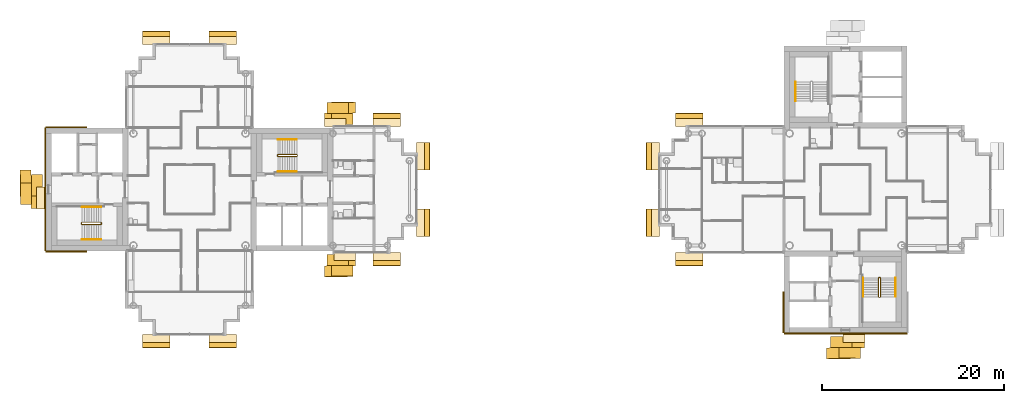
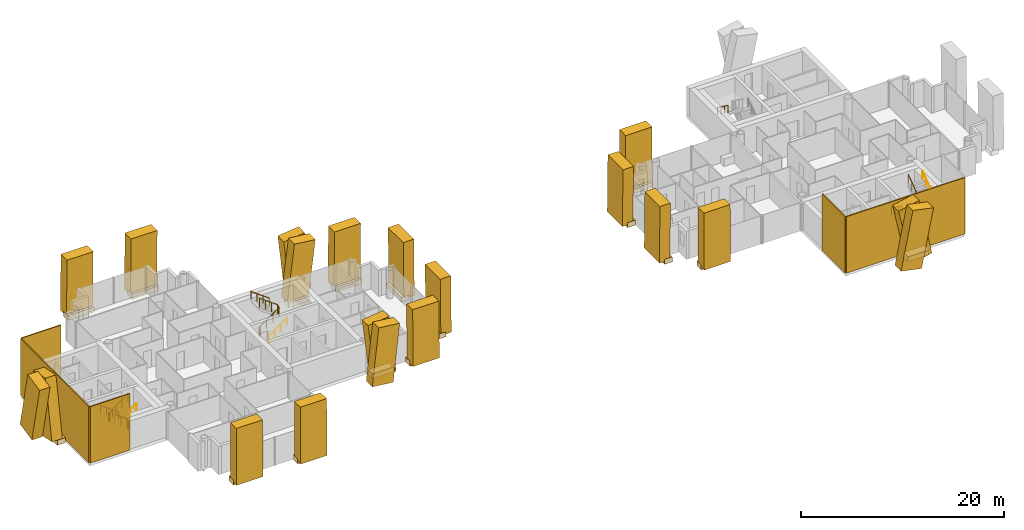
# One storey, part 16 of 18: 41 coverings, 10 railings.
"""IFC4 building model written with IfcOpenShell, lengths in metres."""

from ifc_helpers import new_model, si_unit, direction, frame, origin, origin_2d, place, context, subcontext, project, spatial, rectangle, circle, extrude, material, layer, layer_set, material_profile, profile_set, type_object, element, save


model = new_model("IFC4")

# Units and contexts
model_context = context("Model", 3, precision=1e-05, world=origin(), true_north=direction((0.0, 1.0)))
body_context = subcontext(model_context, "Body", "Model", "MODEL_VIEW")
ifc_project = project(units=[si_unit("LENGTHUNIT", "METRE"), si_unit("AREAUNIT", "SQUARE_METRE"), si_unit("VOLUMEUNIT", "CUBIC_METRE"), si_unit("PLANEANGLEUNIT", "RADIAN"), si_unit("MASSUNIT", "GRAM", prefix="KILO")], contexts=[model_context])

# Site, building, storey
site_placement = place(None, origin())
site = spatial("IfcSite", under=ifc_project, at=site_placement, CompositionType="ELEMENT")
building_placement = place(site_placement, origin())
building = spatial("IfcBuilding", under=site, at=building_placement, Name="Ipe Terrace Towers", CompositionType="ELEMENT")
storey_placement = place(building_placement, frame((0.0, 0.0, 202.800048828125)))
storey = spatial("IfcBuildingStorey", under=building, at=storey_placement, Name="L56", CompositionType="ELEMENT", Elevation=202.800048828125)

# Coverings
ifc_material_1 = material(Name="Concrete C50/60 precast, buff finish", Category="concrete")
ifc_layer = layer(ifc_material_1, 0.1201171875)
ifc_layer_set = layer_set([ifc_layer], Name="STONE CORE CLADDING 120")
covering_type_1 = type_object("IfcCoveringType", Name="STONE CORE CLADDING 120", PredefinedType="CLADDING", material=ifc_layer_set)
covering_1_placement = place(storey_placement, frame((-49.5, -6.81005859375, 0.0), z_axis=(0.0, 0.0, 1.0), x_axis=(1.0, 0.0, 0.0)))
element("IfcCovering", 1, at=covering_1_placement, inside=storey, type_object=covering_type_1, Name="stone core cladding", PredefinedType="CLADDING", context=body_context, shape_type="SweptSolid", body=[
    extrude(rectangle(XDim=4.5, YDim=0.1201171875, at=origin_2d()), origin(), (0.0, 0.0, 1.0), 6.800048828125),
])
covering_2_placement = place(storey_placement, frame((-51.81005859375, 0.0, 0.0), z_axis=(0.0, 0.0, 1.0), x_axis=(0.0, -1.0, 0.0)))
element("IfcCovering", 2, at=covering_2_placement, inside=storey, type_object=covering_type_1, Name="stone core cladding", PredefinedType="CLADDING", context=body_context, shape_type="SweptSolid", body=[
    extrude(rectangle(XDim=13.5, YDim=0.1201171875, at=origin_2d()), origin(), (0.0, 0.0, 1.0), 6.800048828125),
])
covering_3_placement = place(storey_placement, frame((-49.5, 6.81005859375, 0.0), z_axis=(0.0, 0.0, 1.0), x_axis=(-1.0, 0.0, 0.0)))
element("IfcCovering", 3, at=covering_3_placement, inside=storey, type_object=covering_type_1, Name="stone core cladding", PredefinedType="CLADDING", context=body_context, shape_type="SweptSolid", body=[
    extrude(rectangle(XDim=4.5, YDim=0.1201171875, at=origin_2d()), origin(), (0.0, 0.0, 1.0), 6.800048828125),
])
covering_4_placement = place(storey_placement, frame((36.0, -15.81005859375, 0.0), z_axis=(0.0, 0.0, 1.0), x_axis=(1.0, 0.0, 0.0)))
element("IfcCovering", 4, at=covering_4_placement, inside=storey, type_object=covering_type_1, Name="stone core cladding", PredefinedType="CLADDING", context=body_context, shape_type="SweptSolid", body=[
    extrude(rectangle(XDim=13.5, YDim=0.1201171875, at=origin_2d()), origin(), (0.0, 0.0, 1.0), 6.800048828125),
])
covering_5_placement = place(storey_placement, frame((29.18994140625, -13.5, 0.0), z_axis=(0.0, 0.0, 1.0), x_axis=(0.0, -1.0, 0.0)))
element("IfcCovering", 5, at=covering_5_placement, inside=storey, type_object=covering_type_1, Name="stone core cladding", PredefinedType="CLADDING", context=body_context, shape_type="SweptSolid", body=[
    extrude(rectangle(XDim=4.5, YDim=0.1201171875, at=origin_2d()), origin(), (0.0, 0.0, 1.0), 6.800048828125),
])
ifc_material_2 = material(Name="Concrete C50/60 precast, buff finish", Category="concrete")
ifc_material_profile_1 = material_profile(ifc_material_2, rectangle(XDim=2.39990234375, YDim=1.199951171875, at=origin_2d()), Name="STONE FIN 2400 x 1200")
ifc_profile_set_1 = profile_set([ifc_material_profile_1], Name="Concrete C50/60 precast, buff finish")
covering_type_2 = type_object("IfcCoveringType", Name="STONE FIN 2400 x 1200", PredefinedType="USERDEFINED", material=ifc_profile_set_1)
for number, where, z_axis, x_axis, name in (
    (6, (-19.992919921875, -8.993896484375, 0.0), (0.11349843187, 0.010201304687, 0.993485802287), (0.993538175393, -0.001165362446, -0.113492448944), "stone fin"),
    (7, (-19.992919921875, 7.7939453125, 0.0), (0.11349843187, -0.010201304687, 0.993485802287), (-0.993538175393, -0.001165362446, 0.113492448944), "stone fin"),
    (8, (-18.95703125, -7.7939453125, 0.0), (-0.11349843187, 0.010201304687, 0.993485802287), (0.993538175393, 0.001165362446, 0.113492448944), "stone fin"),
    (9, (-18.95703125, 8.993896484375, 0.0), (-0.11349843187, -0.010201304687, 0.993485802287), (-0.993538175393, 0.001165362446, -0.113492448944), "stone fin"),
):
    element("IfcCovering", number, at=place(storey_placement, frame(where, z_axis=z_axis, x_axis=x_axis)), inside=storey, type_object=covering_type_2, Name=name, ObjectType="FIN", PredefinedType="USERDEFINED", context=body_context, shape_type="SweptSolid", body=[
        extrude(rectangle(XDim=2.39990234375, YDim=1.199951171875, at=origin_2d()), origin(), (0.0, 0.0, 1.0), 6.8447265625),
    ])
for number, where, z_axis, x_axis, name in (
    (10, (-53.993896484375, 0.93603515625, 0.0), (0.010055563818, -0.202201215103, 0.979292374241), (-0.002076131794, -0.979343999119, -0.202190556322), "stone fin"),
    (11, (-52.7939453125, -0.93603515625, 0.0), (0.010055563818, 0.202201215103, 0.979292374241), (0.002076131794, -0.979343999119, 0.202190556322), "stone fin"),
    (12, (36.93603515625, -16.7939453125, 0.0), (-0.202201215103, 0.010055563818, 0.979292374241), (0.979343999119, 0.002076131794, 0.202190556322), "stone fin"),
    (13, (35.06396484375, -17.993896484375, 0.0), (0.202201215103, 0.010055563818, 0.979292374241), (0.979343999119, -0.002076131794, -0.202190556322), "stone fin"),
):
    element("IfcCovering", number, at=place(storey_placement, frame(where, z_axis=z_axis, x_axis=x_axis)), inside=storey, type_object=covering_type_2, Name=name, ObjectType="FIN", PredefinedType="USERDEFINED", context=body_context, shape_type="SweptSolid", body=[
        extrude(rectangle(XDim=2.39990234375, YDim=1.199951171875, at=origin_2d()), origin(), (0.0, 0.0, 1.0), 6.94384765625),
    ])
ifc_material_3 = material(Name="Concrete C50/60 precast, buff finish", Category="concrete")
ifc_material_profile_2 = material_profile(ifc_material_3, rectangle(XDim=3.0, YDim=1.199951171875, at=origin_2d()), Name="STONE FIN CORNER 3000 x 1200")
ifc_profile_set_2 = profile_set([ifc_material_profile_2], Name="Concrete C50/60 precast, buff finish")
covering_type_3 = type_object("IfcCoveringType", Name="STONE FIN CORNER 3000 x 1200", PredefinedType="USERDEFINED", material=ifc_profile_set_2)
for number, where, z_axis, x_axis, name in (
    (14, (-10.2060546875, -3.64990234375, 0.0), (-0.010267652457, 0.0, 0.999947286267), (0.0, 1.0, 0.0), "stone fin"),
    (15, (-10.2060546875, 3.64990234375, 0.0), (-0.010267652457, 0.0, 0.999947286267), (0.0, 1.0, 0.0), "stone fin"),
    (16, (-14.35009765625, -7.7939453125, 0.0), (0.0, 0.010267652457, 0.999947286267), (1.0, 0.0, 0.0), "stone fin"),
    (17, (-14.35009765625, 7.7939453125, 0.0), (0.0, -0.010267652457, 0.999947286267), (-1.0, 0.0, 0.0), "stone fin"),
    (18, (-32.35009765625, -16.7939453125, 0.0), (0.0, 0.010267652457, 0.999947286267), (1.0, 0.0, 0.0), "stone fin"),
    (19, (-32.35009765625, 16.7939453125, 0.0), (0.0, -0.010267652457, 0.999947286267), (-1.0, 0.0, 0.0), "stone fin"),
    (20, (-39.64990234375, -16.7939453125, 0.0), (0.0, 0.010267652457, 0.999947286267), (1.0, 0.0, 0.0), "stone fin"),
    (21, (-39.64990234375, 16.7939453125, 0.0), (0.0, -0.010267652457, 0.999947286267), (-1.0, 0.0, 0.0), "stone fin"),
    (22, (14.7060546875, -3.64990234375, 0.0), (0.010267652457, 0.0, 0.999947286267), (0.0, -1.0, 0.0), "stone fin"),
    (23, (14.7060546875, 3.64990234375, 0.0), (0.010267652457, 0.0, 0.999947286267), (0.0, -1.0, 0.0), "stone fin"),
    (24, (18.85009765625, -7.7939453125, 0.0), (0.0, 0.010267652457, 0.999947286267), (1.0, 0.0, 0.0), "stone fin"),
    (25, (18.85009765625, 7.7939453125, 0.0), (0.0, -0.010267652457, 0.999947286267), (-1.0, 0.0, 0.0), "stone fin"),
):
    element("IfcCovering", number, at=place(storey_placement, frame(where, z_axis=z_axis, x_axis=x_axis)), inside=storey, type_object=covering_type_3, Name=name, ObjectType="FIN", PredefinedType="USERDEFINED", context=body_context, shape_type="SweptSolid", body=[
        extrude(rectangle(XDim=3.0, YDim=1.199951171875, at=origin_2d()), origin(), (0.0, 0.0, 1.0), 6.80029296875),
    ])
ifc_material_4 = material(Name="Concrete C50/60 precast, buff finish", Category="concrete")
covering_type_4 = type_object("IfcCoveringType", Name="STONE FIN SHELF 2400 x 600", PredefinedType="CLADDING", material=ifc_material_4)
for number, where, z_axis, x_axis, name in (
    (26, (-19.992919921875, 7.35498046875, -0.35009765625), (0.0, 0.0, 1.0), (-1.0, 0.0, 0.0), "stone fin shelf"),
    (27, (-18.95703125, -7.35498046875, -0.35009765625), (0.0, 0.0, 1.0), (1.0, 0.0, 0.0), "stone fin shelf"),
):
    element("IfcCovering", number, at=place(storey_placement, frame(where, z_axis=z_axis, x_axis=x_axis)), inside=storey, type_object=covering_type_4, Name=name, PredefinedType="CLADDING", context=body_context, shape_type="SweptSolid", body=[
        extrude(rectangle(XDim=2.39990234375, YDim=0.8779296875, at=origin_2d()), origin(), (0.0, 0.0, 1.0), 0.60009765625),
    ])
for number, where, z_axis, x_axis, name in (
    (28, (-52.326904296875, -0.93603515625, -0.35009765625), (0.0, 0.0, 1.0), (0.0, -1.0, 0.0), "stone fin shelf"),
    (29, (36.93603515625, -16.326904296875, -0.35009765625), (0.0, 0.0, 1.0), (1.0, 0.0, 0.0), "stone fin shelf"),
):
    element("IfcCovering", number, at=place(storey_placement, frame(where, z_axis=z_axis, x_axis=x_axis)), inside=storey, type_object=covering_type_4, Name=name, PredefinedType="CLADDING", context=body_context, shape_type="SweptSolid", body=[
        extrude(rectangle(XDim=2.39990234375, YDim=0.93408203125, at=origin_2d()), origin(), (0.0, 0.0, 1.0), 0.60009765625),
    ])
ifc_material_5 = material(Name="Concrete C50/60 precast, buff finish", Category="concrete")
covering_type_5 = type_object("IfcCoveringType", Name="STONE FIN SHELF 3000 x 600", PredefinedType="CLADDING", material=ifc_material_5)
for number, where, z_axis, x_axis, name in (
    (30, (-10.64501953125, -3.64990234375, -0.35009765625), (0.0, 0.0, 1.0), (0.0, 1.0, 0.0), "stone fin shelf"),
    (31, (-10.64501953125, 3.64990234375, -0.35009765625), (0.0, 0.0, 1.0), (0.0, 1.0, 0.0), "stone fin shelf"),
    (32, (-14.35009765625, -7.35498046875, -0.35009765625), (0.0, 0.0, 1.0), (1.0, 0.0, 0.0), "stone fin shelf"),
    (33, (-14.35009765625, 7.35498046875, -0.35009765625), (0.0, 0.0, 1.0), (-1.0, 0.0, 0.0), "stone fin shelf"),
    (34, (-32.35009765625, -16.35498046875, -0.35009765625), (0.0, 0.0, 1.0), (1.0, 0.0, 0.0), "stone fin shelf"),
    (35, (-32.35009765625, 16.35498046875, -0.35009765625), (0.0, 0.0, 1.0), (-1.0, 0.0, 0.0), "stone fin shelf"),
    (36, (-39.64990234375, -16.35498046875, -0.35009765625), (0.0, 0.0, 1.0), (1.0, 0.0, 0.0), "stone fin shelf"),
    (37, (-39.64990234375, 16.35498046875, -0.35009765625), (0.0, 0.0, 1.0), (-1.0, 0.0, 0.0), "stone fin shelf"),
    (38, (15.14501953125, -3.64990234375, -0.35009765625), (0.0, 0.0, 1.0), (0.0, -1.0, 0.0), "stone fin shelf"),
    (39, (15.14501953125, 3.64990234375, -0.35009765625), (0.0, 0.0, 1.0), (0.0, -1.0, 0.0), "stone fin shelf"),
    (40, (18.85009765625, -7.35498046875, -0.35009765625), (0.0, 0.0, 1.0), (1.0, 0.0, 0.0), "stone fin shelf"),
    (41, (18.85009765625, 7.35498046875, -0.35009765625), (0.0, 0.0, 1.0), (-1.0, 0.0, 0.0), "stone fin shelf"),
):
    element("IfcCovering", number, at=place(storey_placement, frame(where, z_axis=z_axis, x_axis=x_axis)), inside=storey, type_object=covering_type_5, Name=name, PredefinedType="CLADDING", context=body_context, shape_type="SweptSolid", body=[
        extrude(rectangle(XDim=3.0, YDim=0.8779296875, at=origin_2d()), origin(), (0.0, 0.0, 1.0), 0.60009765625),
    ])

# Railings
ifc_material_6 = material(Name="Steel S355", Category="steel")
railing_type_1 = type_object("IfcRailingType", Name="Stair guard 1100", PredefinedType="GUARDRAIL", material=ifc_material_6)
railing_1_placement = place(storey_placement, frame((-26.35009765625, 3.800048828125, 0.0)))
element("IfcRailing", 42, at=railing_1_placement, inside=storey, type_object=railing_type_1, Name="L56 T1-ST1 stair guard 1", PredefinedType="GUARDRAIL", context=body_context, shape_type="SweptSolid", body=[
    extrude(circle(Radius=0.02392578125, at=origin_2d()), frame((0.0, 0.0, 1.076171875), z_axis=(0.0, -1.0, 0.0), x_axis=(1.0, 0.0, 0.0)), (0.0, 0.0, 1.0), 0.150146484375),
    extrude(circle(Radius=0.02392578125, at=origin_2d()), frame((0.0, -0.150146484375, 1.076171875), z_axis=(0.248385422981, -0.247173786771, 0.936594790069), x_axis=(0.705375805398, 0.708833529934, 0.0)), (0.0, 0.0, 1.0), 0.201416015625),
    extrude(circle(Radius=0.02392578125, at=origin_2d()), frame((0.050048828125, -0.199951171875, 1.2646484375), z_axis=(0.809023421508, 0.0, 0.587776406001), x_axis=(0.0, 1.0, 0.0)), (0.0, 0.0, 1.0), 2.571044921875),
    extrude(circle(Radius=0.02392578125, at=origin_2d()), frame((2.130126953125, -0.199951171875, 2.77587890625), z_axis=(0.708833529934, 0.705375805398, 0.0), x_axis=(-0.705375805398, 0.708833529934, 0.0)), (0.0, 0.0, 1.0), 0.070556640625),
    extrude(circle(Radius=0.02392578125, at=origin_2d()), frame((2.18017578125, -0.150146484375, 2.77587890625), z_axis=(0.0, 1.0, 0.0), x_axis=(-1.0, 0.0, 0.0)), (0.0, 0.0, 1.0), 0.150146484375),
    extrude(circle(Radius=0.02392578125, at=origin_2d()), frame((2.18017578125, 0.0, 2.77587890625), z_axis=(-0.248029566107, 0.248029566107, 0.936462849596), x_axis=(-0.707106781187, -0.707106781187, 0.0)), (0.0, 0.0, 1.0), 0.201904296875),
    extrude(circle(Radius=0.02392578125, at=origin_2d()), frame((2.130126953125, 0.050048828125, 2.96484375), z_axis=(-0.809068575486, 0.0, 0.587714250432), x_axis=(0.0, -1.0, 0.0)), (0.0, 0.0, 1.0), 2.571044921875),
    extrude(circle(Radius=0.02099609375, at=origin_2d()), origin(), (0.0, 0.0, 1.0), 1.052001953125),
    extrude(circle(Radius=0.02099609375, at=origin_2d()), frame((0.0, -0.150146484375, 0.0)), (0.0, 0.0, 1.0), 1.052001953125),
    extrude(circle(Radius=0.02099609375, at=origin_2d()), frame((0.050048828125, -0.199951171875, 0.188720703125)), (0.0, 0.0, 1.0), 1.052001953125),
    extrude(circle(Radius=0.02099609375, at=origin_2d()), frame((0.743408203125, -0.199951171875, 0.6923828125)), (0.0, 0.0, 1.0), 1.052001953125),
    extrude(circle(Radius=0.02099609375, at=origin_2d()), frame((1.436767578125, -0.199951171875, 1.1962890625)), (0.0, 0.0, 1.0), 1.052001953125),
    extrude(circle(Radius=0.02099609375, at=origin_2d()), frame((2.130126953125, -0.199951171875, 1.699951171875)), (0.0, 0.0, 1.0), 1.052001953125),
    extrude(circle(Radius=0.02099609375, at=origin_2d()), frame((2.18017578125, -0.150146484375, 1.699951171875)), (0.0, 0.0, 1.0), 1.052001953125),
    extrude(circle(Radius=0.02099609375, at=origin_2d()), frame((2.18017578125, 0.0, 1.699951171875)), (0.0, 0.0, 1.0), 1.052001953125),
    extrude(circle(Radius=0.02099609375, at=origin_2d()), frame((2.130126953125, 0.050048828125, 1.888916015625)), (0.0, 0.0, 1.0), 1.052001953125),
    extrude(circle(Radius=0.02099609375, at=origin_2d()), frame((1.436767578125, 0.050048828125, 2.392578125)), (0.0, 0.0, 1.0), 1.052001953125),
    extrude(circle(Radius=0.02099609375, at=origin_2d()), frame((0.743408203125, 0.050048828125, 2.896240234375)), (0.0, 0.0, 1.0), 1.052001953125),
    extrude(circle(Radius=0.02099609375, at=origin_2d()), frame((0.050048828125, 0.050048828125, 3.39990234375)), (0.0, 0.0, 1.0), 1.052001953125),
])
railing_2_placement = place(storey_placement, frame((-45.64990234375, -3.800048828125, 0.0)))
element("IfcRailing", 43, at=railing_2_placement, inside=storey, type_object=railing_type_1, Name="L56 T1-ST2 stair guard 1", PredefinedType="GUARDRAIL", context=body_context, shape_type="SweptSolid", body=[
    extrude(circle(Radius=0.02392578125, at=origin_2d()), frame((0.0, 0.0, 1.076171875), z_axis=(0.0, 1.0, 0.0), x_axis=(-1.0, 0.0, 0.0)), (0.0, 0.0, 1.0), 0.150146484375),
    extrude(circle(Radius=0.02392578125, at=origin_2d()), frame((0.0, 0.150146484375, 1.076171875), z_axis=(-0.248385422981, 0.247173786771, 0.936594790069), x_axis=(-0.705375805398, -0.708833529934, 0.0)), (0.0, 0.0, 1.0), 0.201416015625),
    extrude(circle(Radius=0.02392578125, at=origin_2d()), frame((-0.050048828125, 0.199951171875, 1.2646484375), z_axis=(-0.809023421508, 0.0, 0.587776406001), x_axis=(0.0, -1.0, 0.0)), (0.0, 0.0, 1.0), 2.571044921875),
    extrude(circle(Radius=0.02392578125, at=origin_2d()), frame((-2.130126953125, 0.199951171875, 2.77587890625), z_axis=(-0.708833529934, -0.705375805398, 0.0), x_axis=(0.705375805398, -0.708833529934, 0.0)), (0.0, 0.0, 1.0), 0.070556640625),
    extrude(circle(Radius=0.02392578125, at=origin_2d()), frame((-2.18017578125, 0.150146484375, 2.77587890625), z_axis=(0.0, -1.0, 0.0), x_axis=(1.0, 0.0, 0.0)), (0.0, 0.0, 1.0), 0.150146484375),
    extrude(circle(Radius=0.02392578125, at=origin_2d()), frame((-2.18017578125, 0.0, 2.77587890625), z_axis=(0.248029566107, -0.248029566107, 0.936462849596), x_axis=(0.707106781187, 0.707106781187, 0.0)), (0.0, 0.0, 1.0), 0.201904296875),
    extrude(circle(Radius=0.02392578125, at=origin_2d()), frame((-2.130126953125, -0.050048828125, 2.96484375), z_axis=(0.809068575486, 0.0, 0.587714250432), x_axis=(0.0, 1.0, 0.0)), (0.0, 0.0, 1.0), 2.571044921875),
    extrude(circle(Radius=0.02099609375, at=origin_2d()), origin(), (0.0, 0.0, 1.0), 1.052001953125),
    extrude(circle(Radius=0.02099609375, at=origin_2d()), frame((0.0, 0.150146484375, 0.0)), (0.0, 0.0, 1.0), 1.052001953125),
    extrude(circle(Radius=0.02099609375, at=origin_2d()), frame((-0.050048828125, 0.199951171875, 0.188720703125)), (0.0, 0.0, 1.0), 1.052001953125),
    extrude(circle(Radius=0.02099609375, at=origin_2d()), frame((-0.743408203125, 0.199951171875, 0.6923828125)), (0.0, 0.0, 1.0), 1.052001953125),
    extrude(circle(Radius=0.02099609375, at=origin_2d()), frame((-1.436767578125, 0.199951171875, 1.1962890625)), (0.0, 0.0, 1.0), 1.052001953125),
    extrude(circle(Radius=0.02099609375, at=origin_2d()), frame((-2.130126953125, 0.199951171875, 1.699951171875)), (0.0, 0.0, 1.0), 1.052001953125),
    extrude(circle(Radius=0.02099609375, at=origin_2d()), frame((-2.18017578125, 0.150146484375, 1.699951171875)), (0.0, 0.0, 1.0), 1.052001953125),
    extrude(circle(Radius=0.02099609375, at=origin_2d()), frame((-2.18017578125, 0.0, 1.699951171875)), (0.0, 0.0, 1.0), 1.052001953125),
    extrude(circle(Radius=0.02099609375, at=origin_2d()), frame((-2.130126953125, -0.050048828125, 1.888916015625)), (0.0, 0.0, 1.0), 1.052001953125),
    extrude(circle(Radius=0.02099609375, at=origin_2d()), frame((-1.436767578125, -0.050048828125, 2.392578125)), (0.0, 0.0, 1.0), 1.052001953125),
    extrude(circle(Radius=0.02099609375, at=origin_2d()), frame((-0.743408203125, -0.050048828125, 2.896240234375)), (0.0, 0.0, 1.0), 1.052001953125),
    extrude(circle(Radius=0.02099609375, at=origin_2d()), frame((-0.050048828125, -0.050048828125, 3.39990234375)), (0.0, 0.0, 1.0), 1.052001953125),
])
railing_3_placement = place(storey_placement, frame((39.800048828125, -9.64990234375, 0.0)))
element("IfcRailing", 44, at=railing_3_placement, inside=storey, type_object=railing_type_1, Name="L56 T2-ST2 stair guard 1", PredefinedType="GUARDRAIL", context=body_context, shape_type="SweptSolid", body=[
    extrude(circle(Radius=0.02392578125, at=origin_2d()), frame((0.0, 0.0, 1.076171875), z_axis=(-1.0, 0.0, 0.0), x_axis=(0.0, -1.0, 0.0)), (0.0, 0.0, 1.0), 0.150146484375),
    extrude(circle(Radius=0.02392578125, at=origin_2d()), frame((-0.150146484375, 0.0, 1.076171875), z_axis=(-0.247173786771, -0.248385422981, 0.936594790069), x_axis=(0.708833529934, -0.705375805398, 0.0)), (0.0, 0.0, 1.0), 0.201416015625),
    extrude(circle(Radius=0.02392578125, at=origin_2d()), frame((-0.199951171875, -0.050048828125, 1.2646484375), z_axis=(0.0, -0.809023421508, 0.587776406001), x_axis=(1.0, 0.0, 0.0)), (0.0, 0.0, 1.0), 2.571044921875),
    extrude(circle(Radius=0.02392578125, at=origin_2d()), frame((-0.199951171875, -2.130126953125, 2.77587890625), z_axis=(0.705375805398, -0.708833529934, 0.0), x_axis=(0.708833529934, 0.705375805398, 0.0)), (0.0, 0.0, 1.0), 0.070556640625),
    extrude(circle(Radius=0.02392578125, at=origin_2d()), frame((-0.150146484375, -2.18017578125, 2.77587890625), z_axis=(1.0, 0.0, 0.0), x_axis=(0.0, 1.0, 0.0)), (0.0, 0.0, 1.0), 0.150146484375),
    extrude(circle(Radius=0.02392578125, at=origin_2d()), frame((0.0, -2.18017578125, 2.77587890625), z_axis=(0.248029566107, 0.248029566107, 0.936462849596), x_axis=(-0.707106781187, 0.707106781187, 0.0)), (0.0, 0.0, 1.0), 0.201904296875),
    extrude(circle(Radius=0.02392578125, at=origin_2d()), frame((0.050048828125, -2.130126953125, 2.96484375), z_axis=(0.0, 0.809068575486, 0.587714250432), x_axis=(-1.0, 0.0, 0.0)), (0.0, 0.0, 1.0), 2.571044921875),
    extrude(circle(Radius=0.02099609375, at=origin_2d()), origin(), (0.0, 0.0, 1.0), 1.052001953125),
    extrude(circle(Radius=0.02099609375, at=origin_2d()), frame((-0.150146484375, 0.0, 0.0)), (0.0, 0.0, 1.0), 1.052001953125),
    extrude(circle(Radius=0.02099609375, at=origin_2d()), frame((-0.199951171875, -0.050048828125, 0.188720703125)), (0.0, 0.0, 1.0), 1.052001953125),
    extrude(circle(Radius=0.02099609375, at=origin_2d()), frame((-0.199951171875, -0.743408203125, 0.6923828125)), (0.0, 0.0, 1.0), 1.052001953125),
    extrude(circle(Radius=0.02099609375, at=origin_2d()), frame((-0.199951171875, -1.436767578125, 1.1962890625)), (0.0, 0.0, 1.0), 1.052001953125),
    extrude(circle(Radius=0.02099609375, at=origin_2d()), frame((-0.199951171875, -2.130126953125, 1.699951171875)), (0.0, 0.0, 1.0), 1.052001953125),
    extrude(circle(Radius=0.02099609375, at=origin_2d()), frame((-0.150146484375, -2.18017578125, 1.699951171875)), (0.0, 0.0, 1.0), 1.052001953125),
    extrude(circle(Radius=0.02099609375, at=origin_2d()), frame((0.0, -2.18017578125, 1.699951171875)), (0.0, 0.0, 1.0), 1.052001953125),
    extrude(circle(Radius=0.02099609375, at=origin_2d()), frame((0.050048828125, -2.130126953125, 1.888916015625)), (0.0, 0.0, 1.0), 1.052001953125),
    extrude(circle(Radius=0.02099609375, at=origin_2d()), frame((0.050048828125, -1.436767578125, 2.392578125)), (0.0, 0.0, 1.0), 1.052001953125),
    extrude(circle(Radius=0.02099609375, at=origin_2d()), frame((0.050048828125, -0.743408203125, 2.896240234375)), (0.0, 0.0, 1.0), 1.052001953125),
    extrude(circle(Radius=0.02099609375, at=origin_2d()), frame((0.050048828125, -0.050048828125, 3.39990234375)), (0.0, 0.0, 1.0), 1.052001953125),
])
ifc_material_7 = material(Name="Stainless steel grade 304", Category="steel")
railing_type_2 = type_object("IfcRailingType", Name="Stair handrail 900", PredefinedType="HANDRAIL", material=ifc_material_7)
railing_4_placement = place(storey_placement, frame((-26.300048828125, 1.949951171875, 0.188720703125)))
element("IfcRailing", 45, at=railing_4_placement, inside=storey, type_object=railing_type_2, Name="L56 T1-ST1 stair handrail 1", PredefinedType="HANDRAIL", context=body_context, shape_type="SweptSolid", body=[
    extrude(circle(Radius=0.02392578125, at=origin_2d()), frame((0.0, 0.0, 0.8759765625), z_axis=(0.809023421508, 0.0, 0.587776406001), x_axis=(0.0, 1.0, 0.0)), (0.0, 0.0, 1.0), 2.571044921875),
    extrude(circle(Radius=0.02099609375, at=origin_2d()), origin(), (0.0, 0.0, 1.0), 0.851806640625),
    extrude(circle(Radius=0.02099609375, at=origin_2d()), frame((0.693359375, 0.0, 0.503662109375)), (0.0, 0.0, 1.0), 0.851806640625),
    extrude(circle(Radius=0.02099609375, at=origin_2d()), frame((1.38671875, 0.0, 1.007568359375)), (0.0, 0.0, 1.0), 0.851806640625),
    extrude(circle(Radius=0.02099609375, at=origin_2d()), frame((2.080078125, 0.0, 1.51123046875)), (0.0, 0.0, 1.0), 0.851806640625),
])
railing_5_placement = place(storey_placement, frame((-24.219970703125, 5.5, 1.888916015625)))
element("IfcRailing", 46, at=railing_5_placement, inside=storey, type_object=railing_type_2, Name="L56 T1-ST1 stair handrail 2", PredefinedType="HANDRAIL", context=body_context, shape_type="SweptSolid", body=[
    extrude(circle(Radius=0.02392578125, at=origin_2d()), frame((0.0, 0.0, 0.8759765625), z_axis=(-0.809068575486, 0.0, 0.587714250432), x_axis=(0.0, -1.0, 0.0)), (0.0, 0.0, 1.0), 2.571044921875),
    extrude(circle(Radius=0.02099609375, at=origin_2d()), origin(), (0.0, 0.0, 1.0), 0.851806640625),
    extrude(circle(Radius=0.02099609375, at=origin_2d()), frame((-0.693359375, 0.0, 0.503662109375)), (0.0, 0.0, 1.0), 0.851806640625),
    extrude(circle(Radius=0.02099609375, at=origin_2d()), frame((-1.38671875, 0.0, 1.00732421875)), (0.0, 0.0, 1.0), 0.851806640625),
    extrude(circle(Radius=0.02099609375, at=origin_2d()), frame((-2.080078125, 0.0, 1.510986328125)), (0.0, 0.0, 1.0), 0.851806640625),
])
railing_6_placement = place(storey_placement, frame((-45.699951171875, -1.949951171875, 0.188720703125)))
element("IfcRailing", 47, at=railing_6_placement, inside=storey, type_object=railing_type_2, Name="L56 T1-ST2 stair handrail 1", PredefinedType="HANDRAIL", context=body_context, shape_type="SweptSolid", body=[
    extrude(circle(Radius=0.02392578125, at=origin_2d()), frame((0.0, 0.0, 0.8759765625), z_axis=(-0.809023421508, 0.0, 0.587776406001), x_axis=(0.0, -1.0, 0.0)), (0.0, 0.0, 1.0), 2.571044921875),
    extrude(circle(Radius=0.02099609375, at=origin_2d()), origin(), (0.0, 0.0, 1.0), 0.851806640625),
    extrude(circle(Radius=0.02099609375, at=origin_2d()), frame((-0.693359375, 0.0, 0.503662109375)), (0.0, 0.0, 1.0), 0.851806640625),
    extrude(circle(Radius=0.02099609375, at=origin_2d()), frame((-1.38671875, 0.0, 1.007568359375)), (0.0, 0.0, 1.0), 0.851806640625),
    extrude(circle(Radius=0.02099609375, at=origin_2d()), frame((-2.080078125, 0.0, 1.51123046875)), (0.0, 0.0, 1.0), 0.851806640625),
])
railing_7_placement = place(storey_placement, frame((-47.780029296875, -5.5, 1.888916015625)))
element("IfcRailing", 48, at=railing_7_placement, inside=storey, type_object=railing_type_2, Name="L56 T1-ST2 stair handrail 2", PredefinedType="HANDRAIL", context=body_context, shape_type="SweptSolid", body=[
    extrude(circle(Radius=0.02392578125, at=origin_2d()), frame((0.0, 0.0, 0.8759765625), z_axis=(0.809068575486, 0.0, 0.587714250432), x_axis=(0.0, 1.0, 0.0)), (0.0, 0.0, 1.0), 2.571044921875),
    extrude(circle(Radius=0.02099609375, at=origin_2d()), origin(), (0.0, 0.0, 1.0), 0.851806640625),
    extrude(circle(Radius=0.02099609375, at=origin_2d()), frame((0.693359375, 0.0, 0.503662109375)), (0.0, 0.0, 1.0), 0.851806640625),
    extrude(circle(Radius=0.02099609375, at=origin_2d()), frame((1.38671875, 0.0, 1.00732421875)), (0.0, 0.0, 1.0), 0.851806640625),
    extrude(circle(Radius=0.02099609375, at=origin_2d()), frame((2.080078125, 0.0, 1.510986328125)), (0.0, 0.0, 1.0), 0.851806640625),
])
railing_8_placement = place(storey_placement, frame((30.5, 11.780029296875, 1.888916015625)))
element("IfcRailing", 49, at=railing_8_placement, inside=storey, type_object=railing_type_2, Name="L56 T2-ST1 stair handrail 2", PredefinedType="HANDRAIL", context=body_context, shape_type="SweptSolid", body=[
    extrude(circle(Radius=0.02392578125, at=origin_2d()), frame((0.0, 0.0, 0.8759765625), z_axis=(0.0, -0.809068575486, 0.587714250432), x_axis=(1.0, 0.0, 0.0)), (0.0, 0.0, 1.0), 2.571044921875),
    extrude(circle(Radius=0.02099609375, at=origin_2d()), origin(), (0.0, 0.0, 1.0), 0.851806640625),
    extrude(circle(Radius=0.02099609375, at=origin_2d()), frame((0.0, -0.693359375, 0.503662109375)), (0.0, 0.0, 1.0), 0.851806640625),
    extrude(circle(Radius=0.02099609375, at=origin_2d()), frame((0.0, -1.38671875, 1.00732421875)), (0.0, 0.0, 1.0), 0.851806640625),
    extrude(circle(Radius=0.02099609375, at=origin_2d()), frame((0.0, -2.080078125, 1.510986328125)), (0.0, 0.0, 1.0), 0.851806640625),
])
railing_9_placement = place(storey_placement, frame((37.949951171875, -9.699951171875, 0.188720703125)))
element("IfcRailing", 50, at=railing_9_placement, inside=storey, type_object=railing_type_2, Name="L56 T2-ST2 stair handrail 1", PredefinedType="HANDRAIL", context=body_context, shape_type="SweptSolid", body=[
    extrude(circle(Radius=0.02392578125, at=origin_2d()), frame((0.0, 0.0, 0.8759765625), z_axis=(0.0, -0.809023421508, 0.587776406001), x_axis=(1.0, 0.0, 0.0)), (0.0, 0.0, 1.0), 2.571044921875),
    extrude(circle(Radius=0.02099609375, at=origin_2d()), origin(), (0.0, 0.0, 1.0), 0.851806640625),
    extrude(circle(Radius=0.02099609375, at=origin_2d()), frame((0.0, -0.693359375, 0.503662109375)), (0.0, 0.0, 1.0), 0.851806640625),
    extrude(circle(Radius=0.02099609375, at=origin_2d()), frame((0.0, -1.38671875, 1.007568359375)), (0.0, 0.0, 1.0), 0.851806640625),
    extrude(circle(Radius=0.02099609375, at=origin_2d()), frame((0.0, -2.080078125, 1.51123046875)), (0.0, 0.0, 1.0), 0.851806640625),
])
railing_10_placement = place(storey_placement, frame((41.5, -11.780029296875, 1.888916015625)))
element("IfcRailing", 51, at=railing_10_placement, inside=storey, type_object=railing_type_2, Name="L56 T2-ST2 stair handrail 2", PredefinedType="HANDRAIL", context=body_context, shape_type="SweptSolid", body=[
    extrude(circle(Radius=0.02392578125, at=origin_2d()), frame((0.0, 0.0, 0.8759765625), z_axis=(0.0, 0.809068575486, 0.587714250432), x_axis=(-1.0, 0.0, 0.0)), (0.0, 0.0, 1.0), 2.571044921875),
    extrude(circle(Radius=0.02099609375, at=origin_2d()), origin(), (0.0, 0.0, 1.0), 0.851806640625),
    extrude(circle(Radius=0.02099609375, at=origin_2d()), frame((0.0, 0.693359375, 0.503662109375)), (0.0, 0.0, 1.0), 0.851806640625),
    extrude(circle(Radius=0.02099609375, at=origin_2d()), frame((0.0, 1.38671875, 1.00732421875)), (0.0, 0.0, 1.0), 0.851806640625),
    extrude(circle(Radius=0.02099609375, at=origin_2d()), frame((0.0, 2.080078125, 1.510986328125)), (0.0, 0.0, 1.0), 0.851806640625),
])

save(model, "model.ifc")
